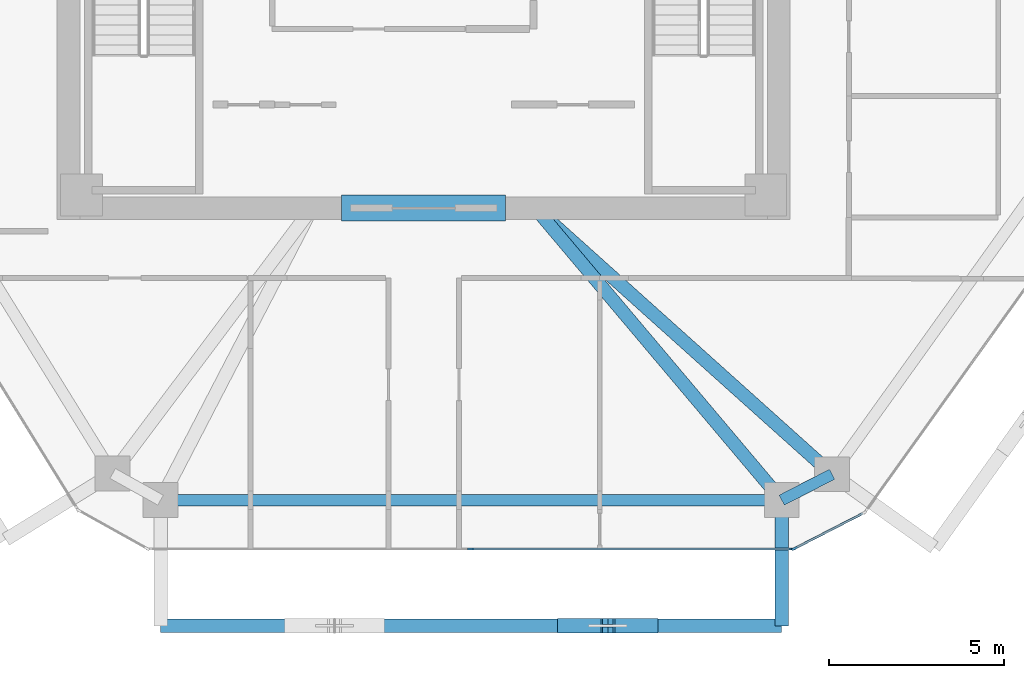
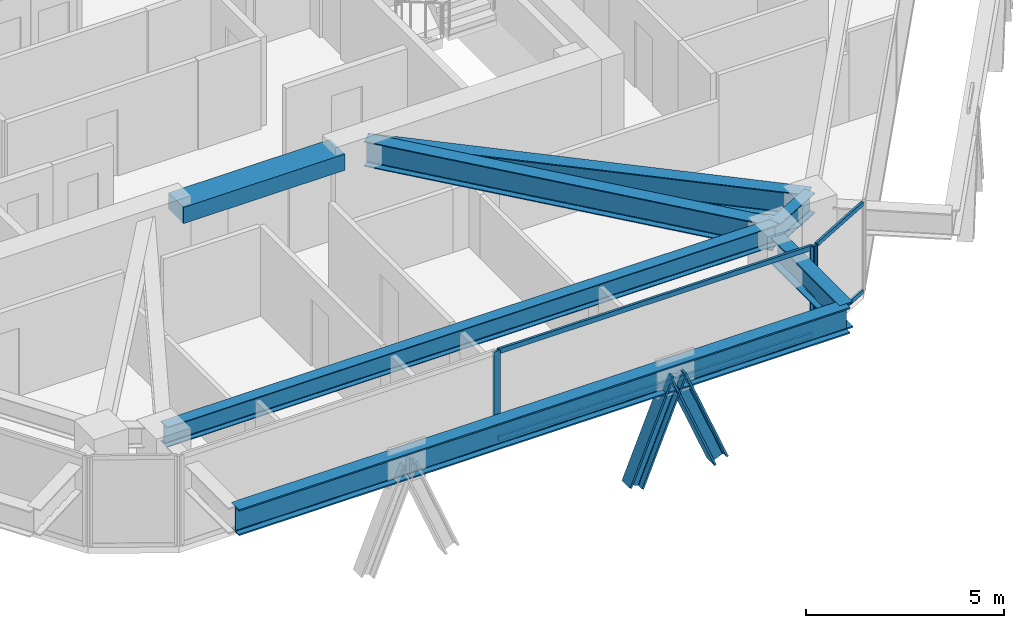
# One storey, part 3 of 15: 9 members, 7 beams, 2 elements without a shape of their own.
"""IFC4 building model written with IfcOpenShell, lengths in metres."""

import ifcopenshell
import ifcopenshell.guid

model = None  # the IFC model being written
_history = None  # IfcOwnerHistory: only IFC2X3 demands one
_inside = {}  # id of a spatial element -> (the spatial element, [elements in it])
_under = {}  # id of a project, library or spatial element -> (it, [spatial elements below it])
_declared = {}  # id of a project -> (the project, [libraries it declares])
_typed = {}  # id of a type object -> (the type object, [elements of that type])
_made_of = {}  # id of a material, layer set ... -> (it, [elements and type objects made of it])


def new_model(schema):
    """Start an empty IFC model of exactly this schema.

    Asked for "IFC4X3", IfcOpenShell would pick the latest addendum, in which some entities
    have other attributes; the version numbers below select the first issue.
    IFC2X3 requires an IfcOwnerHistory on every rooted entity: one is made here for all.
    """
    global model, _history
    if schema == "IFC4X3":
        model = ifcopenshell.file(schema_version=(4, 3, 0, 0))
    else:
        model = ifcopenshell.file(schema=schema)
    _inside.clear()
    _under.clear()
    _declared.clear()
    _typed.clear()
    _made_of.clear()
    _history = None
    if model.schema == "IFC2X3":
        org = make("IfcOrganization", Name="unknown")
        user = make(
            "IfcPersonAndOrganization",
            ThePerson=make("IfcPerson", FamilyName="unknown"),
            TheOrganization=org,
        )
        app = make(
            "IfcApplication",
            ApplicationDeveloper=org,
            Version="unknown",
            ApplicationFullName="unknown",
            ApplicationIdentifier="unknown",
        )
        _history = make(
            "IfcOwnerHistory",
            OwningUser=user,
            OwningApplication=app,
            ChangeAction="ADDED",
            CreationDate=0,
        )
    return model


def make(cls, **values):
    """One entity of the class cls with the attributes given. An attribute that is None is left unset."""
    return model.create_entity(
        cls, **{name: value for name, value in values.items() if value is not None}
    )


def rooted(cls, **values):
    """An entity with a GlobalId (a new one), such as an element, a storey or a relation."""
    return make(cls, GlobalId=ifcopenshell.guid.new(), OwnerHistory=_history, **values)


def si_unit(unit_type, name, prefix=None):
    """IfcSIUnit, for example si_unit("LENGTHUNIT", "METRE", prefix="MILLI")."""
    return make("IfcSIUnit", UnitType=unit_type, Prefix=prefix, Name=name)


def assignment(units):
    """IfcUnitAssignment: the units of a project."""
    return None if units is None else make("IfcUnitAssignment", Units=units)


def point(xyz):
    """IfcCartesianPoint."""
    return None if xyz is None else make("IfcCartesianPoint", Coordinates=xyz)


def direction(xyz):
    """IfcDirection."""
    return None if xyz is None else make("IfcDirection", DirectionRatios=xyz)


def frame(location, z_axis=None, x_axis=None):
    """IfcAxis2Placement3D, a coordinate frame: its origin and axes. An axis left out is left unset."""
    return make(
        "IfcAxis2Placement3D",
        Location=point(location),
        Axis=direction(z_axis),
        RefDirection=direction(x_axis),
    )


def frame_2d(location, x_axis=None):
    """IfcAxis2Placement2D, a coordinate frame in the plane: its origin and x axis."""
    return make(
        "IfcAxis2Placement2D", Location=point(location), RefDirection=direction(x_axis)
    )


def origin():
    """The frame at (0, 0, 0) with its axes left unset."""
    return frame((0.0, 0.0, 0.0))


def origin_2d():
    """The frame at (0, 0) in the plane with its x axis left unset."""
    return frame_2d((0.0, 0.0))


def place(relative_to, where):
    """IfcLocalPlacement: puts the frame where relative to a parent placement (None: the world)."""
    return make(
        "IfcLocalPlacement", PlacementRelTo=relative_to, RelativePlacement=where
    )


def context(
    kind, dimensions, precision=None, world=None, true_north=None, identifier=None
):
    """IfcGeometricRepresentationContext, for example the 3D "Model" context."""
    return make(
        "IfcGeometricRepresentationContext",
        ContextIdentifier=identifier,
        ContextType=kind,
        CoordinateSpaceDimension=dimensions,
        Precision=precision,
        WorldCoordinateSystem=world,
        TrueNorth=true_north,
    )


def subcontext(parent, identifier, kind, view, scale=None):
    """IfcGeometricRepresentationSubContext, for example "Body" below "Model"."""
    return make(
        "IfcGeometricRepresentationSubContext",
        ContextIdentifier=identifier,
        ContextType=kind,
        ParentContext=parent,
        TargetScale=scale,
        TargetView=view,
    )


def project(units=None, contexts=None):
    """IfcProject with its units and contexts."""
    return rooted(
        "IfcProject",
        Name="project",
        RepresentationContexts=contexts,
        UnitsInContext=assignment(units),
    )


def spatial(cls, under=None, at=None, **own):
    """A site, building, storey or space (cls), placed at a placement, below another one or the project."""
    s = rooted(cls, ObjectPlacement=at, **own)
    if under is not None:
        _under.setdefault(under.id(), (under, []))[1].append(s)
    return s


def profile(cls, at=None, kind="AREA", **sizes):
    """A parametric profile (cls). Its sizes go by their IFC names, for example OverallWidth=200.0."""
    return make(cls, ProfileType=kind, Position=at, **sizes)


def rectangle(**sizes):
    """IfcRectangleProfileDef."""
    return profile("IfcRectangleProfileDef", **sizes)


def i_section(**sizes):
    """IfcIShapeProfileDef."""
    return profile("IfcIShapeProfileDef", **sizes)


def extrude(swept, where, along, depth):
    """IfcExtrudedAreaSolid: the profile swept, set in the frame where, extruded along a direction by depth."""
    return make(
        "IfcExtrudedAreaSolid",
        SweptArea=swept,
        Position=where,
        ExtrudedDirection=direction(along),
        Depth=depth,
    )


def shape(context_of_items, identifier, shape_type, items):
    """IfcShapeRepresentation: the items that make up one representation, for example the "Body"."""
    return make(
        "IfcShapeRepresentation",
        ContextOfItems=context_of_items,
        RepresentationIdentifier=identifier,
        RepresentationType=shape_type,
        Items=items,
    )


def source(mapping_origin, context_of_items, identifier, shape_type, items):
    """IfcRepresentationMap: a shape defined once, which mapped items show again and again."""
    return make(
        "IfcRepresentationMap",
        MappingOrigin=mapping_origin,
        MappedRepresentation=shape(context_of_items, identifier, shape_type, items),
    )


def transform(
    local_origin,
    x_axis=None,
    y_axis=None,
    z_axis=None,
    scale=None,
    scale2=None,
    scale3=None,
    uniform=True,
):
    """IfcCartesianTransformationOperator3D, or its non-uniform kind. x_axis, y_axis, z_axis: its Axis1, 2, 3."""
    if uniform:
        return make(
            "IfcCartesianTransformationOperator3D",
            Axis1=direction(x_axis),
            Axis2=direction(y_axis),
            LocalOrigin=point(local_origin),
            Scale=scale,
            Axis3=direction(z_axis),
        )
    return make(
        "IfcCartesianTransformationOperator3DnonUniform",
        Axis1=direction(x_axis),
        Axis2=direction(y_axis),
        LocalOrigin=point(local_origin),
        Scale=scale,
        Axis3=direction(z_axis),
        Scale2=scale2,
        Scale3=scale3,
    )


def mapped(mapping_source, mapping_target):
    """IfcMappedItem: shows the shape of a source again, moved by a transform."""
    return make(
        "IfcMappedItem", MappingSource=mapping_source, MappingTarget=mapping_target
    )


def material(Name=None, Category=None):
    """IfcMaterial."""
    return make("IfcMaterial", Name=Name, Category=Category)


def layer(
    of_material, thickness, ventilated=None, Name=None, Category=None, Priority=None
):
    """IfcMaterialLayer: one layer of a wall or slab, of a material (None: an air gap)."""
    return make(
        "IfcMaterialLayer",
        Material=of_material,
        LayerThickness=thickness,
        IsVentilated=ventilated,
        Name=Name,
        Category=Category,
        Priority=Priority,
    )


def layer_set(layers, Name=None):
    """IfcMaterialLayerSet."""
    return make("IfcMaterialLayerSet", MaterialLayers=layers, LayerSetName=Name)


def material_profile(
    of_material, cross_section, Name=None, Category=None, Priority=None
):
    """IfcMaterialProfile: a cross section and its material."""
    return make(
        "IfcMaterialProfile",
        Name=Name,
        Material=of_material,
        Profile=cross_section,
        Priority=Priority,
        Category=Category,
    )


def profile_set(profiles, Name=None, composite=None):
    """IfcMaterialProfileSet."""
    return make(
        "IfcMaterialProfileSet",
        Name=Name,
        MaterialProfiles=profiles,
        CompositeProfile=composite,
    )


def made_of(thing, what):
    """Note that an element or type object is made of a material, layer set ...; save() writes the relation."""
    if what is not None:
        _made_of.setdefault(what.id(), (what, []))[1].append(thing)
    return thing


def type_object(cls, material=None, **own):
    """A type object (cls), such as IfcWallType, which elements share."""
    return made_of(rooted(cls, **own), material)


def type_shapes(of_type, sources):
    """Give a type object the sources (RepresentationMaps) that its elements show as mapped items."""
    of_type.RepresentationMaps = sources


def element(
    cls,
    number,
    at=None,
    inside=None,
    cuts=None,
    type_object=None,
    material=None,
    context=None,
    identifier="Body",
    shape_type=None,
    held_by="IfcProductDefinitionShape",
    body=None,
    shapes=None,
    **own,
):
    """One element of the class cls, such as IfcWall. Its Tag is "e" and its number.

    at: its placement. inside: the storey or other place that contains it. cuts: it is an
    opening in that element (IfcRelVoidsElement). A single representation is given by context,
    identifier, shape_type and body (its items); several are given by shapes. held_by: the class
    of the entity that holds the representations. save() writes the other relations.
    """
    e = rooted(cls, Tag="e%d" % number, ObjectPlacement=at, **own)
    if body is not None:
        shapes = [shape(context, identifier, shape_type, body)]
    if shapes is not None:
        e.Representation = make(held_by, Representations=shapes)
    if inside is not None:
        _inside.setdefault(inside.id(), (inside, []))[1].append(e)
    if cuts is not None:
        rooted(
            "IfcRelVoidsElement", RelatingBuildingElement=cuts, RelatedOpeningElement=e
        )
    if type_object is not None:
        _typed.setdefault(type_object.id(), (type_object, []))[1].append(e)
    return made_of(e, material)


def aggregate(whole, parts):
    """IfcRelAggregates: a whole, such as a stair, and the parts it consists of."""
    return rooted("IfcRelAggregates", RelatingObject=whole, RelatedObjects=parts)


def save(model, path):
    """Write the relations noted so far, then the file.

    IfcRelAggregates (storeys below a building ...), IfcRelContainedInSpatialStructure (elements
    in a storey), IfcRelDefinesByType, IfcRelAssociatesMaterial and IfcRelDeclares: one each for
    every whole, place, type object, material and project.
    """
    for whole, parts in _under.values():
        aggregate(whole, parts)
    for where, things in _inside.values():
        rooted(
            "IfcRelContainedInSpatialStructure",
            RelatedElements=things,
            RelatingStructure=where,
        )
    for kind, things in _typed.values():
        rooted("IfcRelDefinesByType", RelatedObjects=things, RelatingType=kind)
    for what, things in _made_of.values():
        rooted("IfcRelAssociatesMaterial", RelatedObjects=things, RelatingMaterial=what)
    for by, libraries in _declared.values():
        rooted("IfcRelDeclares", RelatingContext=by, RelatedDefinitions=libraries)
    model.write(path)


model = new_model("IFC4")

# Units and contexts
model_context = context("Model", 3, precision=1e-05, world=origin(), true_north=direction((0.0, 1.0)))
body_context = subcontext(model_context, "Body", "Model", "MODEL_VIEW")
ifc_project = project(units=[si_unit("LENGTHUNIT", "METRE"), si_unit("AREAUNIT", "SQUARE_METRE"), si_unit("VOLUMEUNIT", "CUBIC_METRE"), si_unit("PLANEANGLEUNIT", "RADIAN"), si_unit("MASSUNIT", "GRAM", prefix="KILO")], contexts=[model_context])

# Site, building, storey
site_placement = place(None, origin())
site = spatial("IfcSite", under=ifc_project, at=site_placement, CompositionType="ELEMENT")
building_placement = place(site_placement, origin())
building = spatial("IfcBuilding", under=site, at=building_placement, Name="Durnholm Broadcast Tower", CompositionType="ELEMENT")
storey_placement = place(building_placement, frame((0.0, 0.0, 206.199951171875)))
storey = spatial("IfcBuildingStorey", under=building, at=storey_placement, Name="L57", CompositionType="ELEMENT", Elevation=206.199951171875)

# Beams
ifc_material_1 = material(Name="Steel ASTM A992 Grade 50", Category="steel")
ifc_material_profile_1 = material_profile(ifc_material_1, i_section(OverallWidth=0.385009765625, OverallDepth=0.802978515625, WebThickness=0.023681640625, FlangeThickness=0.0419921875, FilletRadius=0.032958984375, at=origin_2d()), Name="W30X261")
ifc_profile_set_1 = profile_set([ifc_material_profile_1], Name="Steel ASTM A992 Grade 50")
beam_type_1 = type_object("IfcBeamType", Name="BM-EXO-TIE", PredefinedType="USERDEFINED", material=ifc_profile_set_1)
shared_shape_1 = source(origin(), body_context, "Body", "SweptSolid", [
    extrude(i_section(OverallWidth=0.385009765625, OverallDepth=0.802978515625, WebThickness=0.023681640625, FlangeThickness=0.0419921875, FilletRadius=0.032958984375, at=origin_2d()), origin(), (0.0, 0.0, 1.0), 3.4560546875),
])
beam_1_placement = place(storey_placement, frame((10.256591796875, -16.68603515625, 2.008544921875), z_axis=(0.0, -1.0, 0.0), x_axis=(1.0, 0.0, 0.0)))
element("IfcBeam", 1, at=beam_1_placement, inside=storey, type_object=beam_type_1, Name="L57 exoskeleton stand-off tie bracket F1.2", ObjectType="GIRDER", PredefinedType="USERDEFINED", context=body_context, shape_type="MappedRepresentation", body=[
    mapped(shared_shape_1, transform((0.0, 0.0, 0.0), x_axis=(1.0, 0.0, 0.0), y_axis=(0.0, 1.0, 0.0), z_axis=(0.0, 0.0, 1.0), scale=1.0)),
])
ifc_material_2 = material(Name="Concrete C70/85", Category="concrete")
ifc_material_profile_2 = material_profile(ifc_material_2, rectangle(XDim=0.75, YDim=0.5, at=origin_2d()), Name="RC750X500")
ifc_profile_set_2 = profile_set([ifc_material_profile_2], Name="Concrete C70/85")
beam_type_2 = type_object("IfcBeamType", Name="BM-CB-RC500", PredefinedType="LINTEL", material=ifc_profile_set_2)
shared_shape_2 = source(origin(), body_context, "Body", "SweptSolid", [
    extrude(rectangle(XDim=0.75, YDim=0.5, at=origin_2d()), origin(), (0.0, 0.0, 1.0), 4.7001953125),
])
type_shapes(beam_type_2, [shared_shape_2])
beam_2_placement = place(storey_placement, frame((-2.35009765625, -8.175048828125, 2.505126953125), z_axis=(1.0, 0.0, 0.0), x_axis=(0.0, 1.0, 0.0)))
element("IfcBeam", 2, at=beam_2_placement, inside=storey, type_object=beam_type_2, Name="L57 south core coupling lintel beam CB-S", PredefinedType="LINTEL", context=body_context, shape_type="MappedRepresentation", body=[
    mapped(shared_shape_2, transform((0.0, 0.0, 0.0), x_axis=(1.0, 0.0, 0.0), y_axis=(0.0, 1.0, 0.0), z_axis=(0.0, 0.0, 1.0), scale=1.0)),
])
ifc_material_profile_3 = material_profile(ifc_material_1, i_section(OverallWidth=0.3251953125, OverallDepth=0.6162109375, WebThickness=0.013916015625, FlangeThickness=0.021484375, FilletRadius=0.02783203125, at=origin_2d()), Name="W24X117")
ifc_profile_set_3 = profile_set([ifc_material_profile_3], Name="Steel ASTM A992 Grade 50")
beam_type_3 = type_object("IfcBeamType", Name="STL-SP-W24X117", PredefinedType="SPANDREL", material=ifc_profile_set_3)
shared_shape_3 = source(origin(), body_context, "Body", "SweptSolid", [
    extrude(i_section(OverallWidth=0.3251953125, OverallDepth=0.6162109375, WebThickness=0.013916015625, FlangeThickness=0.021484375, FilletRadius=0.02783203125, at=origin_2d()), origin(), (0.0, 0.0, 1.0), 1.62255859375),
])
beam_3_placement = place(storey_placement, frame((11.69970703125, -15.80029296875, 2.43701171875), z_axis=(-0.889406668864, -0.45711680934, 0.0), x_axis=(0.45711680934, -0.889406668864, 0.0)))
element("IfcBeam", 3, at=beam_3_placement, inside=storey, type_object=beam_type_3, Name="L57 perimeter spandrel girder 10", PredefinedType="SPANDREL", context=body_context, shape_type="MappedRepresentation", body=[
    mapped(shared_shape_3, transform((0.0, 0.0, 0.0), x_axis=(1.0, 0.0, 0.0), y_axis=(0.0, 1.0, 0.0), z_axis=(0.0, 0.0, 1.0), scale=1.0)),
])
shared_shape_4 = source(origin(), body_context, "Body", "SweptSolid", [
    extrude(i_section(OverallWidth=0.3251953125, OverallDepth=0.6162109375, WebThickness=0.013916015625, FlangeThickness=0.021484375, FilletRadius=0.02783203125, at=origin_2d()), origin(), (0.0, 0.0, 1.0), 17.796142578125),
])
type_shapes(beam_type_3, [shared_shape_3, shared_shape_4])
beam_4_placement = place(storey_placement, frame((10.256591796875, -16.5419921875, 2.43701171875), z_axis=(-1.0, 0.0, 0.0), x_axis=(0.0, -1.0, 0.0)))
element("IfcBeam", 4, at=beam_4_placement, inside=storey, type_object=beam_type_3, Name="L57 perimeter spandrel girder 11", PredefinedType="SPANDREL", context=body_context, shape_type="MappedRepresentation", body=[
    mapped(shared_shape_4, transform((0.0, 0.0, 0.0), x_axis=(1.0, 0.0, 0.0), y_axis=(0.0, 1.0, 0.0), z_axis=(0.0, 0.0, 1.0), scale=1.0)),
])
shared_shape_5 = source(origin(), body_context, "Body", "SweptSolid", [
    extrude(i_section(OverallWidth=0.385009765625, OverallDepth=0.802978515625, WebThickness=0.023681640625, FlangeThickness=0.0419921875, FilletRadius=0.032958984375, at=origin_2d()), origin(), (0.0, 0.0, 1.0), 17.796142578125),
])
type_shapes(beam_type_1, [shared_shape_1, shared_shape_5])
beam_5_placement = place(storey_placement, frame((-7.53955078125, -20.14208984375, 2.008544921875), z_axis=(1.0, 0.0, 0.0), x_axis=(0.0, 1.0, 0.0)))
element("IfcBeam", 5, at=beam_5_placement, inside=storey, type_object=beam_type_1, Name="L57 exoskeleton collector spandrel F1", PredefinedType="SPANDREL", context=body_context, shape_type="MappedRepresentation", body=[
    mapped(shared_shape_5, transform((0.0, 0.0, 0.0), x_axis=(1.0, 0.0, 0.0), y_axis=(0.0, 1.0, 0.0), z_axis=(0.0, 0.0, 1.0), scale=1.0)),
])
ifc_material_profile_4 = material_profile(ifc_material_1, i_section(OverallWidth=0.380615234375, OverallDepth=0.773193359375, WebThickness=0.0166015625, FlangeThickness=0.027099609375, FilletRadius=0.032958984375, at=origin_2d()), Name="W30X173")
ifc_profile_set_4 = profile_set([ifc_material_profile_4], Name="Steel ASTM A992 Grade 50")
beam_type_4 = type_object("IfcBeamType", Name="STL-GR-W30X173", PredefinedType="USERDEFINED", material=ifc_profile_set_4)
shared_shape_6 = source(origin(), body_context, "Body", "SweptSolid", [
    extrude(i_section(OverallWidth=0.380615234375, OverallDepth=0.773193359375, WebThickness=0.0166015625, FlangeThickness=0.027099609375, FilletRadius=0.032958984375, at=origin_2d()), origin(), (0.0, 0.0, 1.0), 11.4189453125),
])
beam_6_placement = place(storey_placement, frame((3.199951171875, -8.175048828125, 2.3583984375), z_axis=(0.744361631918, -0.667776729849, 0.0), x_axis=(0.667776729849, 0.744361631918, 0.0)))
element("IfcBeam", 6, at=beam_6_placement, inside=storey, type_object=beam_type_4, Name="L57 radial primary floor girder 10", ObjectType="GIRDER", PredefinedType="USERDEFINED", context=body_context, shape_type="MappedRepresentation", body=[
    mapped(shared_shape_6, transform((0.0, 0.0, 0.0), x_axis=(1.0, 0.0, 0.0), y_axis=(0.0, 1.0, 0.0), z_axis=(0.0, 0.0, 1.0), scale=1.0)),
])
shared_shape_7 = source(origin(), body_context, "Body", "SweptSolid", [
    extrude(i_section(OverallWidth=0.380615234375, OverallDepth=0.773193359375, WebThickness=0.0166015625, FlangeThickness=0.027099609375, FilletRadius=0.032958984375, at=origin_2d()), origin(), (0.0, 0.0, 1.0), 10.9453125),
])
type_shapes(beam_type_4, [shared_shape_6, shared_shape_7])
beam_7_placement = place(storey_placement, frame((3.199951171875, -8.175048828125, 2.3583984375), z_axis=(0.644712536066, -0.764425108065, 0.0), x_axis=(0.764425108065, 0.644712536066, 0.0)))
element("IfcBeam", 7, at=beam_7_placement, inside=storey, type_object=beam_type_4, Name="L57 radial primary floor girder 11", ObjectType="GIRDER", PredefinedType="USERDEFINED", context=body_context, shape_type="MappedRepresentation", body=[
    mapped(shared_shape_7, transform((0.0, 0.0, 0.0), x_axis=(1.0, 0.0, 0.0), y_axis=(0.0, 1.0, 0.0), z_axis=(0.0, 0.0, 1.0), scale=1.0)),
])

# Members
ifc_material_3 = material(Name="Steel ASTM A913 Grade 65", Category="steel")
ifc_material_profile_5 = material_profile(ifc_material_3, i_section(OverallWidth=0.412109375, OverallDepth=0.434814453125, WebThickness=0.035888671875, FlangeThickness=0.057373046875, FilletRadius=0.030517578125, at=origin_2d()), Name="W14X311")
ifc_profile_set_5 = profile_set([ifc_material_profile_5], Name="Steel ASTM A913 Grade 65")
member_type_1 = type_object("IfcMemberType", Name="STL-DG-W14X311", PredefinedType="BRACE", material=ifc_profile_set_5)
shared_shape_8 = source(origin(), body_context, "Body", "SweptSolid", [
    extrude(i_section(OverallWidth=0.412109375, OverallDepth=0.434814453125, WebThickness=0.035888671875, FlangeThickness=0.057373046875, FilletRadius=0.030517578125, at=origin_2d()), origin(), (0.0, 0.0, 1.0), 3.243896484375),
])
type_shapes(member_type_1, [shared_shape_8])
for number, where, z_axis, x_axis, name in (
    (8, (4.039794921875, -20.14208984375, -0.991455078125), (0.380378804119, 0.0, 0.924830776616), (0.0, 1.0, 0.0), "L57 stand-off diagrid brace F1.D2.1"),
    (9, (6.507568359375, -20.14208984375, -0.991455078125), (-0.380378804119, 0.0, 0.924830776616), (0.0, -1.0, 0.0), "L57 stand-off diagrid brace F1.D2.2"),
):
    element("IfcMember", number, at=place(storey_placement, frame(where, z_axis=z_axis, x_axis=x_axis)), inside=storey, type_object=member_type_1, Name=name, PredefinedType="BRACE", context=body_context, shape_type="MappedRepresentation", body=[
        mapped(shared_shape_8, transform((0.0, 0.0, 0.0), x_axis=(1.0, 0.0, 0.0), y_axis=(0.0, 1.0, 0.0), z_axis=(0.0, 0.0, 1.0), scale=1.0)),
    ])

# Curtain wall, members
ifc_material_4 = material(Name="Aluminium and Solar Control IGU", Category="aluminium")
ifc_layer_1 = layer(ifc_material_4, 0.1650390625)
ifc_layer_set_1 = layer_set([ifc_layer_1], Name="Aluminium and Solar Control IGU")
curtain_wall_type_1 = type_object("IfcCurtainWallType", Name="CW-SYS-5", PredefinedType="NOTDEFINED", material=ifc_layer_set_1)
curtain_wall_1_placement = place(storey_placement, origin())
curtain_wall_1 = element("IfcCurtainWall", 10, at=curtain_wall_1_placement, inside=storey, type_object=curtain_wall_type_1, Name="L57 curtain wall CW-CORNER CW-L57-CRN-09", PredefinedType="NOTDEFINED")
ifc_material_5 = material(Name="Aluminium 6063-T6", Category="aluminium")
ifc_material_profile_6 = material_profile(ifc_material_5, rectangle(XDim=0.06494140625, YDim=0.1650390625, at=origin_2d()), Name="CWM65X165")
ifc_profile_set_6 = profile_set([ifc_material_profile_6], Name="Aluminium 6063-T6")
member_type_2 = type_object("IfcMemberType", Name="CW-SYS-5-MUL", PredefinedType="MULLION", material=ifc_profile_set_6)
shared_shape_9 = source(origin(), body_context, "Body", "SweptSolid", [
    extrude(rectangle(XDim=0.06494140625, YDim=0.1650390625, at=origin_2d()), origin(), (0.0, 0.0, 1.0), 2.760009765625),
])
type_shapes(member_type_2, [shared_shape_9])
member_1_placement = place(storey_placement, frame((10.624267578125, -17.92724609375, 0.0), z_axis=(0.0, 0.0, 1.0), x_axis=(0.457081764476, -0.889424679545, 0.0)))
member_1 = element("IfcMember", 11, at=member_1_placement, type_object=member_type_2, Name="CW-CORNER mullion 2", PredefinedType="MULLION", context=body_context, shape_type="MappedRepresentation", body=[
    mapped(shared_shape_9, transform((0.0, 0.0, 0.0), x_axis=(1.0, 0.0, 0.0), y_axis=(0.0, 1.0, 0.0), z_axis=(0.0, 0.0, 1.0), scale=1.0)),
])
ifc_material_profile_7 = material_profile(ifc_material_5, rectangle(XDim=0.06494140625, YDim=0.1298828125, at=origin_2d()), Name="CWT65X130")
ifc_profile_set_7 = profile_set([ifc_material_profile_7], Name="Aluminium 6063-T6")
member_type_3 = type_object("IfcMemberType", Name="CW-SYS-5-TRN", PredefinedType="USERDEFINED", material=ifc_profile_set_7)
shared_shape_10 = source(origin(), body_context, "Body", "SweptSolid", [
    extrude(rectangle(XDim=0.06494140625, YDim=0.1298828125, at=origin_2d()), origin(), (0.0, 0.0, 1.0), 2.170166015625),
])
type_shapes(member_type_3, [shared_shape_10])
member_2_placement = place(storey_placement, frame((12.583251953125, -16.92041015625, 0.032470703125), z_axis=(-0.889422414772, -0.457086171417, 0.0), x_axis=(0.457086171417, -0.889422414772, 0.0)))
member_2 = element("IfcMember", 12, at=member_2_placement, type_object=member_type_3, Name="CW-CORNER transom 1.1", ObjectType="TRANSOM", PredefinedType="USERDEFINED", context=body_context, shape_type="MappedRepresentation", body=[
    mapped(shared_shape_10, transform((0.0, 0.0, 0.0), x_axis=(1.0, 0.0, 0.0), y_axis=(0.0, 1.0, 0.0), z_axis=(0.0, 0.0, 1.0), scale=1.0)),
])
member_3_placement = place(storey_placement, frame((12.583251953125, -16.92041015625, 2.7275390625), z_axis=(-0.889422414772, -0.457086171417, 0.0), x_axis=(0.457086171417, -0.889422414772, 0.0)))
member_3 = element("IfcMember", 13, at=member_3_placement, type_object=member_type_3, Name="CW-CORNER transom 1.2", ObjectType="TRANSOM", PredefinedType="USERDEFINED", context=body_context, shape_type="MappedRepresentation", body=[
    mapped(shared_shape_10, transform((0.0, 0.0, 0.0), x_axis=(1.0, 0.0, 0.0), y_axis=(0.0, 1.0, 0.0), z_axis=(0.0, 0.0, 1.0), scale=1.0)),
])
aggregate(curtain_wall_1, [member_1, member_2, member_3])

ifc_layer_2 = layer(ifc_material_4, 0.18994140625)
ifc_layer_set_2 = layer_set([ifc_layer_2], Name="Aluminium and Solar Control IGU")
curtain_wall_type_2 = type_object("IfcCurtainWallType", Name="CW-SYS-4", PredefinedType="NOTDEFINED", material=ifc_layer_set_2)
curtain_wall_2_placement = place(storey_placement, origin())
curtain_wall_2 = element("IfcCurtainWall", 14, at=curtain_wall_2_placement, inside=storey, type_object=curtain_wall_type_2, Name="L57 curtain wall CW-Z34-VIS CW-L57-F10", PredefinedType="NOTDEFINED")
ifc_material_profile_8 = material_profile(ifc_material_5, rectangle(XDim=0.070068359375, YDim=0.14990234375, at=origin_2d()), Name="CWT70X150")
ifc_profile_set_8 = profile_set([ifc_material_profile_8], Name="Aluminium 6063-T6")
member_type_4 = type_object("IfcMemberType", Name="CW-SYS-4-TRN", PredefinedType="USERDEFINED", material=ifc_profile_set_8)
shared_shape_11 = source(origin(), body_context, "Body", "SweptSolid", [
    extrude(rectangle(XDim=0.070068359375, YDim=0.14990234375, at=origin_2d()), origin(), (0.0, 0.0, 1.0), 9.14453125),
])
type_shapes(member_type_4, [shared_shape_11])
member_4_placement = place(storey_placement, frame((10.525390625, -17.94189453125, 0.03515625), z_axis=(-1.0, 0.0, 0.0), x_axis=(0.0, -1.0, 0.0)))
member_4 = element("IfcMember", 15, at=member_4_placement, type_object=member_type_4, Name="CW-Z34-VIS transom 1.1", ObjectType="TRANSOM", PredefinedType="USERDEFINED", context=body_context, shape_type="MappedRepresentation", body=[
    mapped(shared_shape_11, transform((0.0, 0.0, 0.0), x_axis=(1.0, 0.0, 0.0), y_axis=(0.0, 1.0, 0.0), z_axis=(0.0, 0.0, 1.0), scale=1.0)),
])
member_5_placement = place(storey_placement, frame((10.525390625, -17.94189453125, 2.72509765625), z_axis=(-1.0, 0.0, 0.0), x_axis=(0.0, -1.0, 0.0)))
member_5 = element("IfcMember", 16, at=member_5_placement, type_object=member_type_4, Name="CW-Z34-VIS transom 1.2", ObjectType="TRANSOM", PredefinedType="USERDEFINED", context=body_context, shape_type="MappedRepresentation", body=[
    mapped(shared_shape_11, transform((0.0, 0.0, 0.0), x_axis=(1.0, 0.0, 0.0), y_axis=(0.0, 1.0, 0.0), z_axis=(0.0, 0.0, 1.0), scale=1.0)),
])
ifc_material_profile_9 = material_profile(ifc_material_5, rectangle(XDim=0.070068359375, YDim=0.18994140625, at=origin_2d()), Name="CWM70X190")
ifc_profile_set_9 = profile_set([ifc_material_profile_9], Name="Aluminium 6063-T6")
member_type_5 = type_object("IfcMemberType", Name="CW-SYS-4-MUL", PredefinedType="MULLION", material=ifc_profile_set_9)
shared_shape_12 = source(origin(), body_context, "Body", "SweptSolid", [
    extrude(rectangle(XDim=0.070068359375, YDim=0.18994140625, at=origin_2d()), origin(), (0.0, 0.0, 1.0), 2.760009765625),
])
type_shapes(member_type_5, [shared_shape_12])
member_6_placement = place(storey_placement, frame((10.560302734375, -17.94189453125, 0.0), z_axis=(0.0, 0.0, 1.0), x_axis=(0.0, -1.0, 0.0)))
member_6 = element("IfcMember", 17, at=member_6_placement, type_object=member_type_5, Name="CW-Z34-VIS mullion 1", PredefinedType="MULLION", context=body_context, shape_type="MappedRepresentation", body=[
    mapped(shared_shape_12, transform((0.0, 0.0, 0.0), x_axis=(1.0, 0.0, 0.0), y_axis=(0.0, 1.0, 0.0), z_axis=(0.0, 0.0, 1.0), scale=1.0)),
])
member_7_placement = place(storey_placement, frame((1.345947265625, -17.94189453125, 0.0), z_axis=(0.0, 0.0, 1.0), x_axis=(0.0, -1.0, 0.0)))
member_7 = element("IfcMember", 18, at=member_7_placement, type_object=member_type_5, Name="CW-Z34-VIS mullion 2", PredefinedType="MULLION", context=body_context, shape_type="MappedRepresentation", body=[
    mapped(shared_shape_12, transform((0.0, 0.0, 0.0), x_axis=(1.0, 0.0, 0.0), y_axis=(0.0, 1.0, 0.0), z_axis=(0.0, 0.0, 1.0), scale=1.0)),
])
aggregate(curtain_wall_2, [member_6, member_7, member_4, member_5])

save(model, "model.ifc")
